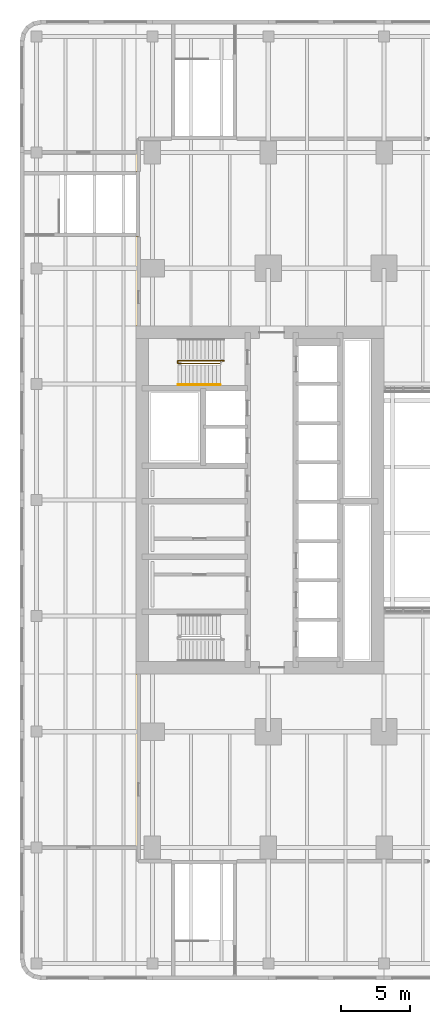
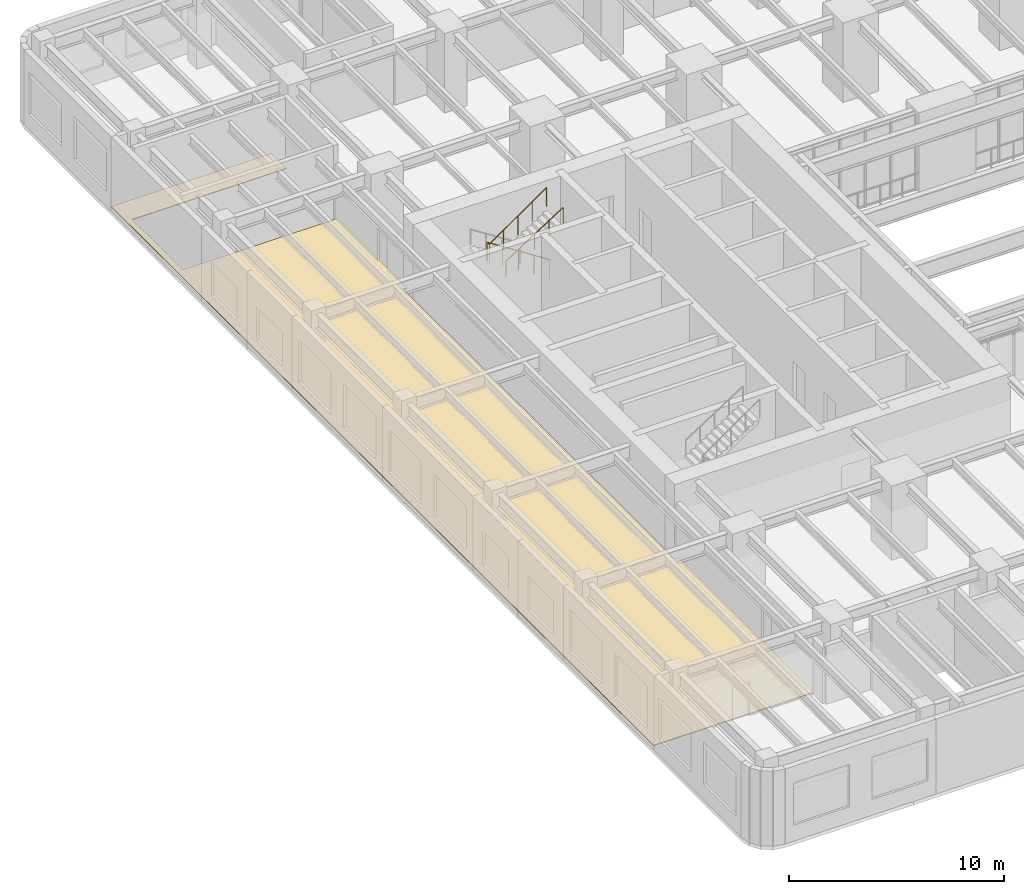
# One storey, part 19 of 22: 2 railings, 1 covering.
"""IFC4 building model written with IfcOpenShell, lengths in metres."""

from ifc_helpers import new_model, si_unit, direction, frame, origin, origin_2d, place, context, subcontext, project, spatial, polyline, circle, outline, extrude, material, layer, layer_set, type_object, element, save


model = new_model("IFC4")

# Units and contexts
model_context = context("Model", 3, precision=1e-05, world=origin(), true_north=direction((0.0, 1.0)))
body_context = subcontext(model_context, "Body", "Model", "MODEL_VIEW")
ifc_project = project(units=[si_unit("LENGTHUNIT", "METRE"), si_unit("AREAUNIT", "SQUARE_METRE"), si_unit("VOLUMEUNIT", "CUBIC_METRE"), si_unit("PLANEANGLEUNIT", "RADIAN"), si_unit("MASSUNIT", "GRAM", prefix="KILO")], contexts=[model_context])

# Site, building, storey
site_placement = place(None, origin())
site = spatial("IfcSite", under=ifc_project, at=site_placement, CompositionType="ELEMENT")
building_placement = place(site_placement, origin())
building = spatial("IfcBuilding", under=site, at=building_placement, Name="Claustro Exchange Tower", CompositionType="ELEMENT")
storey_placement = place(building_placement, frame((0.0, 0.0, 14.39990234375)))
storey = spatial("IfcBuildingStorey", under=building, at=storey_placement, Name="L03", CompositionType="ELEMENT", Elevation=14.39990234375)

# Railings
ifc_material_1 = material(Name="Steel balustrade, painted", Category="steel")
railing_type_1 = type_object("IfcRailingType", Name="GR2 1100 steel stair guard", PredefinedType="GUARDRAIL", material=ifc_material_1)
railing_1_placement = place(storey_placement, frame((5.199951171875, 35.300048828125, 0.18017578125)))
element("IfcRailing", 1, at=railing_1_placement, inside=storey, type_object=railing_type_1, Name="Stair well guard GR2 stair STWB L03", PredefinedType="GUARDRAIL", context=body_context, shape_type="SweptSolid", body=[
    extrude(circle(Radius=0.02392578125, at=origin_2d()), frame((0.0, 0.0, 1.076171875), z_axis=(-0.841178475377, 0.0, 0.540757591313), x_axis=(0.0, -1.0, 0.0)), (0.0, 0.0, 1.0), 3.994140625),
    extrude(circle(Radius=0.02392578125, at=origin_2d()), frame((-3.35986328125, 0.0, 3.23583984375), z_axis=(0.0, -1.0, 0.0), x_axis=(1.0, 0.0, 0.0)), (0.0, 0.0, 1.0), 0.199951171875),
    extrude(circle(Radius=0.02392578125, at=origin_2d()), frame((-3.35986328125, -0.199951171875, 3.23583984375), z_axis=(0.818728512145, 0.0, 0.574180828137), x_axis=(0.0, 1.0, 0.0)), (0.0, 0.0, 1.0), 3.76171875),
    extrude(circle(Radius=0.02099609375, at=origin_2d()), origin(), (0.0, 0.0, 1.0), 1.052001953125),
    extrude(circle(Radius=0.02099609375, at=origin_2d()), frame((-0.83984375, 0.0, 0.5400390625)), (0.0, 0.0, 1.0), 1.052001953125),
    extrude(circle(Radius=0.02099609375, at=origin_2d()), frame((-1.679931640625, 0.0, 1.080078125)), (0.0, 0.0, 1.0), 1.052001953125),
    extrude(circle(Radius=0.02099609375, at=origin_2d()), frame((-2.52001953125, 0.0, 1.619873046875)), (0.0, 0.0, 1.0), 1.052001953125),
    extrude(circle(Radius=0.02099609375, at=origin_2d()), frame((-3.35986328125, 0.0, 2.159912109375)), (0.0, 0.0, 1.0), 1.052001953125),
    extrude(circle(Radius=0.02099609375, at=origin_2d()), frame((-3.35986328125, -0.199951171875, 2.159912109375)), (0.0, 0.0, 1.0), 1.052001953125),
    extrude(circle(Radius=0.02099609375, at=origin_2d()), frame((-2.58984375, -0.199951171875, 2.699951171875)), (0.0, 0.0, 1.0), 1.052001953125),
    extrude(circle(Radius=0.02099609375, at=origin_2d()), frame((-1.81982421875, -0.199951171875, 3.23974609375)), (0.0, 0.0, 1.0), 1.052001953125),
    extrude(circle(Radius=0.02099609375, at=origin_2d()), frame((-1.050048828125, -0.199951171875, 3.77978515625)), (0.0, 0.0, 1.0), 1.052001953125),
    extrude(circle(Radius=0.02099609375, at=origin_2d()), frame((-0.280029296875, -0.199951171875, 4.31982421875)), (0.0, 0.0, 1.0), 1.052001953125),
])
ifc_material_2 = material(Name="Stainless steel tube", Category="steel")
railing_type_2 = type_object("IfcRailingType", Name="HR1 900 stair handrail", PredefinedType="HANDRAIL", material=ifc_material_2)
railing_2_placement = place(storey_placement, frame((1.840087890625, 33.56005859375, 2.52001953125)))
element("IfcRailing", 2, at=railing_2_placement, inside=storey, type_object=railing_type_2, Name="Handrail HR1 stair STWB L03", PredefinedType="HANDRAIL", context=body_context, shape_type="SweptSolid", body=[
    extrude(circle(Radius=0.02392578125, at=origin_2d()), frame((0.0, 0.0, 0.8759765625), z_axis=(0.841167642724, 0.0, 0.540774441735), x_axis=(0.0, 1.0, 0.0)), (0.0, 0.0, 1.0), 3.661376953125),
    extrude(circle(Radius=0.02099609375, at=origin_2d()), origin(), (0.0, 0.0, 1.0), 0.851806640625),
    extrude(circle(Radius=0.02099609375, at=origin_2d()), frame((0.77001953125, 0.0, 0.4951171875)), (0.0, 0.0, 1.0), 0.851806640625),
    extrude(circle(Radius=0.02099609375, at=origin_2d()), frame((1.5400390625, 0.0, 0.989990234375)), (0.0, 0.0, 1.0), 0.851806640625),
    extrude(circle(Radius=0.02099609375, at=origin_2d()), frame((2.309814453125, 0.0, 1.48486328125)), (0.0, 0.0, 1.0), 0.851806640625),
    extrude(circle(Radius=0.02099609375, at=origin_2d()), frame((3.079833984375, 0.0, 1.97998046875)), (0.0, 0.0, 1.0), 0.851806640625),
])

# Covering
ifc_material_3 = material(Name="Steel-encased raised floor panels on pedestals", Category="steel")
ifc_layer = layer(ifc_material_3, 0.0400390625)
ifc_layer_set = layer_set([ifc_layer], Name="Steel-encased raised floor panels on pedestals")
covering_type = type_object("IfcCoveringType", Name="RF1 300 raised access floor", PredefinedType="FLOORING", material=ifc_layer_set)
covering_placement = place(storey_placement, frame((0.0, 0.0, 0.260009765625)))
element("IfcCovering", 3, at=covering_placement, inside=storey, type_object=covering_type, Name="Raised access floor RF1 L03-06", PredefinedType="FLOORING", context=body_context, shape_type="SweptSolid", body=[
    extrude(outline(polyline([(-1.0, 50.39990234375), (-9.60009765625, 50.39990234375), (-9.60009765625, 0.0), (-1.0, 0.0), (-1.0, 12.60009765625), (-1.199951171875, 12.60009765625), (-1.199951171875, 37.800048828125), (-1.0, 37.800048828125), (-1.0, 44.300048828125), (-9.280029296875, 44.300048828125), (-9.280029296875, 49.0), (-1.0, 49.0), (-1.0, 50.39990234375)])), origin(), (0.0, 0.0, 1.0), 0.0400390625),
])

save(model, "model.ifc")
